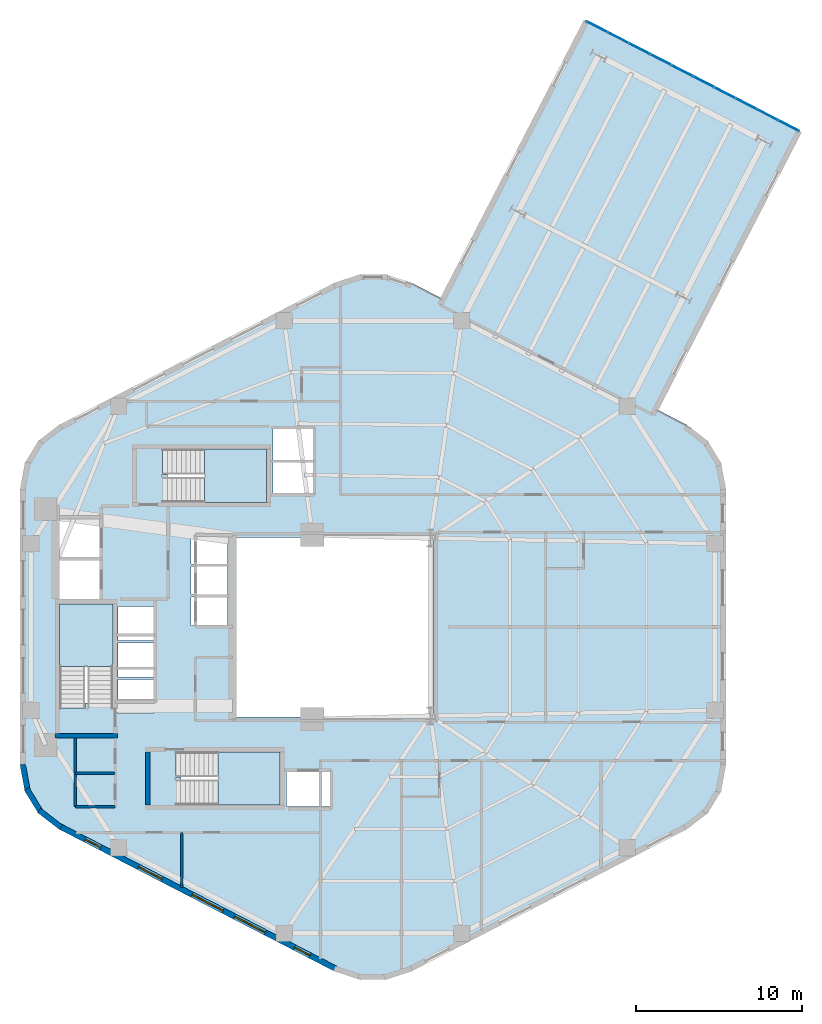
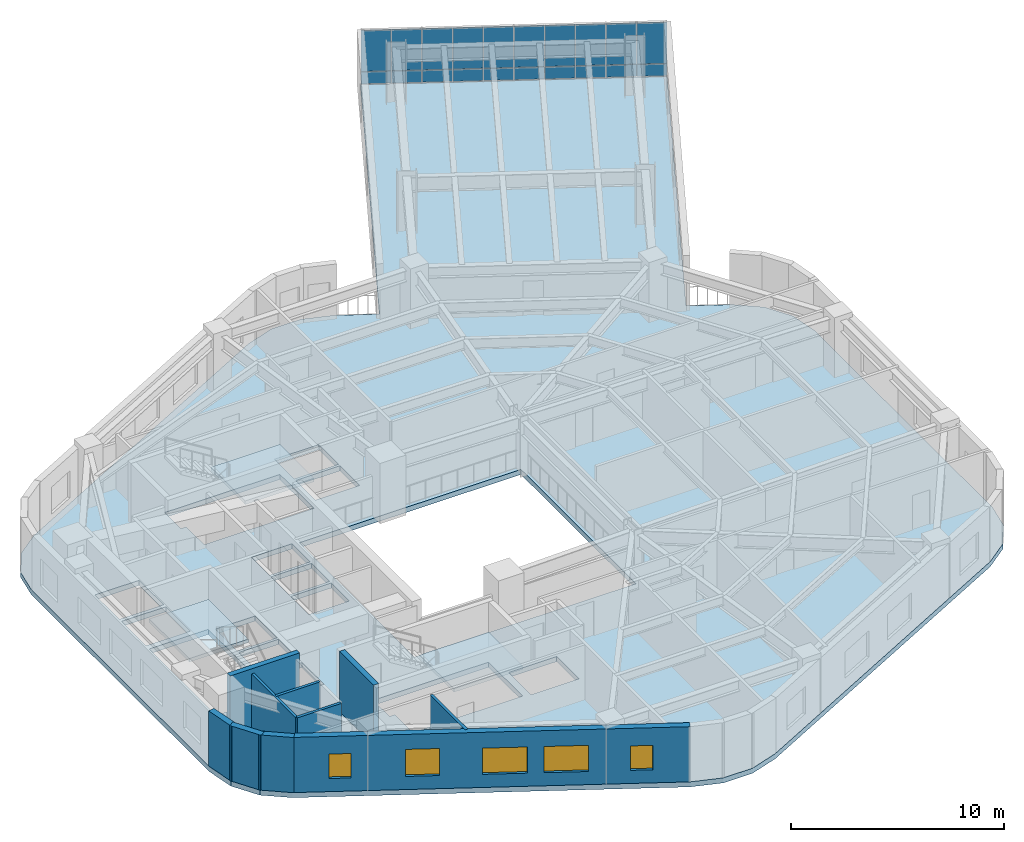
# One storey, part 4 of 10: 20 plates, 10 walls, 5 windows, 4 slabs, 5 openings, 4 elements without a shape of their own.
"""IFC4 building model written with IfcOpenShell, lengths in metres."""

from ifc_helpers import new_model, si_unit, direction, frame, frame_2d, origin, origin_2d, place, context, subcontext, project, spatial, polyline, rectangle, outline, extrude, material, layer, layer_set, type_object, element, fill, aggregate, save


model = new_model("IFC4")

# Units and contexts
model_context = context("Model", 3, precision=1e-05, world=origin(), true_north=direction((0.0, 1.0)))
body_context = subcontext(model_context, "Body", "Model", "MODEL_VIEW")
ifc_project = project(units=[si_unit("LENGTHUNIT", "METRE"), si_unit("AREAUNIT", "SQUARE_METRE"), si_unit("VOLUMEUNIT", "CUBIC_METRE"), si_unit("PLANEANGLEUNIT", "RADIAN"), si_unit("MASSUNIT", "GRAM", prefix="KILO"), si_unit("THERMODYNAMICTEMPERATUREUNIT", "KELVIN"), si_unit("POWERUNIT", "WATT")], contexts=[model_context])

# Site, building, storey
site_placement = place(None, origin())
site = spatial("IfcSite", under=ifc_project, at=site_placement, CompositionType="ELEMENT")
building_placement = place(site_placement, origin())
building = spatial("IfcBuilding", under=site, at=building_placement, Name="Skarre Station Tower", CompositionType="ELEMENT")
storey_placement = place(building_placement, frame((0.0, 0.0, 111.89990234375)))
storey = spatial("IfcBuildingStorey", under=building, at=storey_placement, Name="L29", CompositionType="ELEMENT", Elevation=111.89990234375)

# Curtain wall, plates
ifc_material_1 = material(Name="Thermally Broken Bronze-Anodized Aluminium & Triple Low-E Glass", Category="aluminium")
ifc_layer_1 = layer(ifc_material_1, 0.2099609375, Name="Thermally Broken Bronze-Anodized Aluminium & Triple Low-E Glass")
ifc_layer_set_1 = layer_set([ifc_layer_1], Name="Thermally Broken Bronze-Anodized Aluminium & Triple Low-E Glass")
curtain_wall_type = type_object("IfcCurtainWallType", Name="Sky-Bar Prow Structural Glazed Curtain Wall", PredefinedType="NOTDEFINED", material=ifc_layer_set_1)
curtain_wall_placement = place(storey_placement, origin())
curtain_wall = element("IfcCurtainWall", 1, at=curtain_wall_placement, inside=storey, type_object=curtain_wall_type, Name="L29 SB-2 Lakefront Prow Curtain Wall", PredefinedType="NOTDEFINED")
ifc_material_2 = material(Name="Insulated Bronze Anodized Aluminium Spandrel", Category="aluminium")
ifc_layer_2 = layer(ifc_material_2, 0.052001953125, Name="Insulated Bronze Anodized Aluminium Spandrel")
ifc_layer_set_2 = layer_set([ifc_layer_2], Name="Insulated Bronze Anodized Aluminium Spandrel")
plate_type_1 = type_object("IfcPlateType", Name="Bronze Insulated Spandrel Sheet Panel 52", PredefinedType="SHEET", material=ifc_layer_set_2)
plate_1_placement = place(storey_placement, frame((49.47412109375, 60.10302734375, 0.052001953125), z_axis=(0.0, 0.0, 1.0), x_axis=(0.888601222224, -0.458680572798, 0.0)))
plate_1 = element("IfcPlate", 2, at=plate_1_placement, type_object=plate_type_1, Name="L29 SB-2 Lakefront Prow Curtain Wall Spandrel Panel 1-1", PredefinedType="SHEET", context=body_context, shape_type="SweptSolid", body=[
    extrude(rectangle(XDim=1.416015625, YDim=0.052001953125, at=origin_2d()), origin(), (0.0, 0.0, 1.0), 0.68603515625),
])
plate_2_placement = place(storey_placement, frame((50.7529296875, 59.44189453125, 0.052001953125), z_axis=(0.0, 0.0, 1.0), x_axis=(0.888601222224, -0.458680572798, 0.0)))
plate_2 = element("IfcPlate", 3, at=plate_2_placement, type_object=plate_type_1, Name="L29 SB-2 Lakefront Prow Curtain Wall Spandrel Panel 2-1", PredefinedType="SHEET", context=body_context, shape_type="SweptSolid", body=[
    extrude(rectangle(XDim=1.416015625, YDim=0.052001953125, at=origin_2d()), origin(), (0.0, 0.0, 1.0), 0.68603515625),
])
plate_3_placement = place(storey_placement, frame((52.032958984375, 58.781982421875, 0.052001953125), z_axis=(0.0, 0.0, 1.0), x_axis=(0.888601222224, -0.458680572798, 0.0)))
plate_3 = element("IfcPlate", 4, at=plate_3_placement, type_object=plate_type_1, Name="L29 SB-2 Lakefront Prow Curtain Wall Spandrel Panel 3-1", PredefinedType="SHEET", context=body_context, shape_type="SweptSolid", body=[
    extrude(rectangle(XDim=1.416015625, YDim=0.052001953125, at=origin_2d()), origin(), (0.0, 0.0, 1.0), 0.68603515625),
])
plate_4_placement = place(storey_placement, frame((53.31298828125, 58.12109375, 0.052001953125), z_axis=(0.0, 0.0, 1.0), x_axis=(0.888601222224, -0.458680572798, 0.0)))
plate_4 = element("IfcPlate", 5, at=plate_4_placement, type_object=plate_type_1, Name="L29 SB-2 Lakefront Prow Curtain Wall Spandrel Panel 4-1", PredefinedType="SHEET", context=body_context, shape_type="SweptSolid", body=[
    extrude(rectangle(XDim=1.416015625, YDim=0.052001953125, at=origin_2d()), origin(), (0.0, 0.0, 1.0), 0.68603515625),
])
plate_5_placement = place(storey_placement, frame((54.592041015625, 57.4609375, 0.052001953125), z_axis=(0.0, 0.0, 1.0), x_axis=(0.888601222224, -0.458680572798, 0.0)))
plate_5 = element("IfcPlate", 6, at=plate_5_placement, type_object=plate_type_1, Name="L29 SB-2 Lakefront Prow Curtain Wall Spandrel Panel 5-1", PredefinedType="SHEET", context=body_context, shape_type="SweptSolid", body=[
    extrude(rectangle(XDim=1.416015625, YDim=0.052001953125, at=origin_2d()), origin(), (0.0, 0.0, 1.0), 0.68603515625),
])
plate_6_placement = place(storey_placement, frame((55.8720703125, 56.800048828125, 0.052001953125), z_axis=(0.0, 0.0, 1.0), x_axis=(0.888601222224, -0.458680572798, 0.0)))
plate_6 = element("IfcPlate", 7, at=plate_6_placement, type_object=plate_type_1, Name="L29 SB-2 Lakefront Prow Curtain Wall Spandrel Panel 6-1", PredefinedType="SHEET", context=body_context, shape_type="SweptSolid", body=[
    extrude(rectangle(XDim=1.416015625, YDim=0.052001953125, at=origin_2d()), origin(), (0.0, 0.0, 1.0), 0.68603515625),
])
plate_7_placement = place(storey_placement, frame((57.15087890625, 56.139892578125, 0.052001953125), z_axis=(0.0, 0.0, 1.0), x_axis=(0.888601222224, -0.458680572798, 0.0)))
plate_7 = element("IfcPlate", 8, at=plate_7_placement, type_object=plate_type_1, Name="L29 SB-2 Lakefront Prow Curtain Wall Spandrel Panel 7-1", PredefinedType="SHEET", context=body_context, shape_type="SweptSolid", body=[
    extrude(rectangle(XDim=1.416015625, YDim=0.052001953125, at=origin_2d()), origin(), (0.0, 0.0, 1.0), 0.68603515625),
])
plate_8_placement = place(storey_placement, frame((58.430908203125, 55.47900390625, 0.052001953125), z_axis=(0.0, 0.0, 1.0), x_axis=(0.888601222224, -0.458680572798, 0.0)))
plate_8 = element("IfcPlate", 9, at=plate_8_placement, type_object=plate_type_1, Name="L29 SB-2 Lakefront Prow Curtain Wall Spandrel Panel 8-1", PredefinedType="SHEET", context=body_context, shape_type="SweptSolid", body=[
    extrude(rectangle(XDim=1.416015625, YDim=0.052001953125, at=origin_2d()), origin(), (0.0, 0.0, 1.0), 0.68603515625),
])
plate_9_placement = place(storey_placement, frame((59.7109375, 54.819091796875, 0.052001953125), z_axis=(0.0, 0.0, 1.0), x_axis=(0.888601222224, -0.458680572798, 0.0)))
plate_9 = element("IfcPlate", 10, at=plate_9_placement, type_object=plate_type_1, Name="L29 SB-2 Lakefront Prow Curtain Wall Spandrel Panel 9-1", PredefinedType="SHEET", context=body_context, shape_type="SweptSolid", body=[
    extrude(rectangle(XDim=1.416015625, YDim=0.052001953125, at=origin_2d()), origin(), (0.0, 0.0, 1.0), 0.68603515625),
])
plate_10_placement = place(storey_placement, frame((60.989990234375, 54.157958984375, 0.052001953125), z_axis=(0.0, 0.0, 1.0), x_axis=(0.888601222224, -0.458680572798, 0.0)))
plate_10 = element("IfcPlate", 11, at=plate_10_placement, type_object=plate_type_1, Name="L29 SB-2 Lakefront Prow Curtain Wall Spandrel Panel 10-1", PredefinedType="SHEET", context=body_context, shape_type="SweptSolid", body=[
    extrude(rectangle(XDim=1.416015625, YDim=0.052001953125, at=origin_2d()), origin(), (0.0, 0.0, 1.0), 0.68603515625),
])

# Stair, slab
ifc_material_3 = material(Name="Concrete C40/50", Category="concrete")
stair_type_1 = type_object("IfcStairType", Name="Reinforced Concrete Exit Stair ST-1", PredefinedType="HALF_TURN_STAIR", material=ifc_material_3)
stair_1_placement = place(storey_placement, origin())
stair_1 = element("IfcStair", 12, at=stair_1_placement, inside=storey, type_object=stair_type_1, Name="L29 Core Exit Stair ST-1", PredefinedType="HALF_TURN_STAIR")
ifc_layer_3 = layer(ifc_material_3, 0.219970703125, Name="Concrete C40/50")
ifc_layer_set_3 = layer_set([ifc_layer_3], Name="Concrete C40/50")
slab_type_1 = type_object("IfcSlabType", Name="Reinforced Concrete Stair & Ramp Landing 220", PredefinedType="LANDING", material=ifc_layer_set_3)
slab_1_placement = place(storey_placement, frame((0.0, 0.0, 1.525146484375)))
slab_1 = element("IfcSlab", 13, at=slab_1_placement, type_object=slab_type_1, Name="ST-1 landing 1", PredefinedType="LANDING", context=body_context, shape_type="SweptSolid", body=[
    extrude(outline(polyline([(20.35009765625, 21.639892578125), (20.35009765625, 25.39990234375), (17.14990234375, 25.39990234375), (17.14990234375, 21.639892578125), (20.35009765625, 21.639892578125)])), origin(), (0.0, 0.0, 1.0), 0.199951171875),
])
aggregate(stair_1, [slab_1])

stair_type_2 = type_object("IfcStairType", Name="Reinforced Concrete Exit Stair ST-2", PredefinedType="HALF_TURN_STAIR", material=ifc_material_3)
stair_2_placement = place(storey_placement, origin())
stair_2 = element("IfcStair", 14, at=stair_2_placement, inside=storey, type_object=stair_type_2, Name="L29 Core Exit Stair ST-2", PredefinedType="HALF_TURN_STAIR")
slab_2_placement = place(storey_placement, frame((0.0, 0.0, 1.525146484375)))
slab_2 = element("IfcSlab", 15, at=slab_2_placement, type_object=slab_type_1, Name="ST-2 landing 1", PredefinedType="LANDING", context=body_context, shape_type="SweptSolid", body=[
    extrude(outline(polyline([(26.669921875, 13.300048828125), (30.39990234375, 13.300048828125), (30.39990234375, 16.5), (26.669921875, 16.5), (26.669921875, 13.300048828125)])), origin(), (0.0, 0.0, 1.0), 0.199951171875),
])
aggregate(stair_2, [slab_2])

stair_type_3 = type_object("IfcStairType", Name="Reinforced Concrete Exit Stair ST-3", PredefinedType="HALF_TURN_STAIR", material=ifc_material_3)
stair_3_placement = place(storey_placement, origin())
stair_3 = element("IfcStair", 16, at=stair_3_placement, inside=storey, type_object=stair_type_3, Name="L29 Core Exit Stair ST-3", PredefinedType="HALF_TURN_STAIR")
slab_3_placement = place(storey_placement, frame((0.0, 0.0, 1.525146484375)))
slab_3 = element("IfcSlab", 17, at=slab_3_placement, type_object=slab_type_1, Name="ST-3 landing 1", PredefinedType="LANDING", context=body_context, shape_type="SweptSolid", body=[
    extrude(outline(polyline([(25.8701171875, 31.5), (29.60009765625, 31.5), (29.60009765625, 34.699951171875), (25.8701171875, 34.699951171875), (25.8701171875, 31.5)])), origin(), (0.0, 0.0, 1.0), 0.199951171875),
])
aggregate(stair_3, [slab_3])

# Slab
ifc_material_4 = material(Name="Concrete C50/60", Category="concrete")
ifc_layer_4 = layer(ifc_material_4, 0.2900390625, Name="Concrete C50/60")
ifc_layer_set_4 = layer_set([ifc_layer_4], Name="Concrete C50/60")
slab_type_2 = type_object("IfcSlabType", Name="Sky-Bar Composite Floor Slab 290", PredefinedType="FLOOR", material=ifc_layer_set_4)
slab_4_placement = place(storey_placement, frame((0.0, 0.0, -0.289794921875)))
element("IfcSlab", 18, at=slab_4_placement, inside=storey, type_object=slab_type_2, Name="L29 Tower and SB-2 Floor Slab", PredefinedType="FLOOR", context=body_context, shape_type="SweptSolid", body=[
    extrude(outline(polyline([(53.007080078125, 37.123046875), (61.6298828125, 53.827880859375), (48.833984375, 60.43310546875), (40.2109375, 43.72705078125), (38.30908203125, 44.708984375), (36.7958984375, 45.2060546875), (35.2041015625, 45.2060546875), (33.69091796875, 44.708984375), (17.091064453125, 36.14111328125), (15.867919921875, 35.194091796875), (15.06298828125, 33.873046875), (14.781982421875, 32.35205078125), (14.781982421875, 15.64794921875), (15.06298828125, 14.126953125), (15.867919921875, 12.805908203125), (17.091064453125, 11.85888671875), (33.69091796875, 3.291015625), (35.2041015625, 2.7939453125), (36.7958984375, 2.7939453125), (38.30908203125, 3.291015625), (54.908935546875, 11.85888671875), (56.132080078125, 12.805908203125), (56.93701171875, 14.126953125), (57.218017578125, 15.64794921875), (57.218017578125, 32.35205078125), (56.93701171875, 33.873046875), (56.132080078125, 35.194091796875), (54.908935546875, 36.14111328125), (53.007080078125, 37.123046875)]), holes=[polyline([(18.669921875, 19.419921875), (18.669921875, 19.123046875), (17.14990234375, 19.123046875), (17.14990234375, 25.39990234375), (20.35009765625, 25.39990234375), (20.35009765625, 19.419921875), (18.669921875, 19.419921875)]), polyline([(24.449951171875, 14.97998046875), (24.153076171875, 14.97998046875), (24.153076171875, 16.5), (30.39990234375, 16.5), (30.39990234375, 13.300048828125), (24.449951171875, 13.300048828125), (24.449951171875, 14.97998046875)]), polyline([(23.64990234375, 33.179931640625), (23.35302734375, 33.179931640625), (23.35302734375, 34.699951171875), (29.60009765625, 34.699951171875), (29.60009765625, 31.5), (23.64990234375, 31.5), (23.64990234375, 33.179931640625)]), polyline([(17.14990234375, 28.0), (19.550048828125, 28.0), (19.550048828125, 25.699951171875), (17.14990234375, 25.699951171875), (17.14990234375, 28.0)]), polyline([(17.14990234375, 30.5), (19.550048828125, 30.5), (19.550048828125, 28.199951171875), (17.14990234375, 28.199951171875), (17.14990234375, 30.5)]), polyline([(30.800048828125, 15.300048828125), (33.39990234375, 15.300048828125), (33.39990234375, 13.199951171875), (30.800048828125, 13.199951171875), (30.800048828125, 15.300048828125)]), polyline([(25.050048828125, 25.800048828125), (27.25, 25.800048828125), (27.25, 24.10009765625), (25.050048828125, 24.10009765625), (25.050048828125, 25.800048828125)]), polyline([(25.050048828125, 27.64990234375), (27.25, 27.64990234375), (27.25, 25.949951171875), (25.050048828125, 25.949951171875), (25.050048828125, 27.64990234375)]), polyline([(25.050048828125, 29.5), (27.25, 29.5), (27.25, 27.800048828125), (25.050048828125, 27.800048828125), (25.050048828125, 29.5)]), polyline([(20.64990234375, 20.85009765625), (22.800048828125, 20.85009765625), (22.800048828125, 18.800048828125), (20.64990234375, 18.800048828125), (20.64990234375, 20.85009765625)]), polyline([(20.64990234375, 23.050048828125), (22.800048828125, 23.050048828125), (22.800048828125, 21.0), (20.64990234375, 21.0), (20.64990234375, 23.050048828125)]), polyline([(20.64990234375, 25.25), (22.800048828125, 25.25), (22.800048828125, 23.199951171875), (20.64990234375, 23.199951171875), (20.64990234375, 25.25)]), polyline([(30.0, 33.89990234375), (32.39990234375, 33.89990234375), (32.39990234375, 32.050048828125), (30.0, 32.050048828125), (30.0, 33.89990234375)]), polyline([(30.0, 35.89990234375), (32.39990234375, 35.89990234375), (32.39990234375, 34.050048828125), (30.0, 34.050048828125), (30.0, 35.89990234375)]), polyline([(27.60009765625, 29.39990234375), (39.60009765625, 29.39990234375), (39.60009765625, 18.60009765625), (27.60009765625, 18.60009765625), (27.60009765625, 29.39990234375)])]), origin(), (0.0, 0.0, 1.0), 0.289794921875),
])

# Plate
ifc_material_5 = material(Name="Low-Iron Triple Insulating Glass Unit", Category="glass")
ifc_layer_5 = layer(ifc_material_5, 0.0439453125, Name="Low-Iron Triple Insulating Glass Unit")
ifc_layer_set_5 = layer_set([ifc_layer_5], Name="Low-Iron Triple Insulating Glass Unit")
plate_type_2 = type_object("IfcPlateType", Name="Triple-Glazed Vision Curtain Panel 44", PredefinedType="CURTAIN_PANEL", material=ifc_layer_set_5)
plate_11_placement = place(storey_placement, frame((49.47412109375, 60.10302734375, 0.76220703125), z_axis=(0.0, 0.0, 1.0), x_axis=(0.888601222224, -0.458680572798, 0.0)))
plate_11 = element("IfcPlate", 19, at=plate_11_placement, type_object=plate_type_2, Name="L29 SB-2 Lakefront Prow Curtain Wall Vision Panel 1-2", PredefinedType="CURTAIN_PANEL", context=body_context, shape_type="SweptSolid", body=[
    extrude(rectangle(XDim=1.416015625, YDim=0.0439453125, at=origin_2d()), origin(), (0.0, 0.0, 1.0), 2.345947265625),
])

plate_12_placement = place(storey_placement, frame((50.7529296875, 59.44189453125, 0.76220703125), z_axis=(0.0, 0.0, 1.0), x_axis=(0.888601222224, -0.458680572798, 0.0)))
plate_12 = element("IfcPlate", 20, at=plate_12_placement, type_object=plate_type_2, Name="L29 SB-2 Lakefront Prow Curtain Wall Vision Panel 2-2", PredefinedType="CURTAIN_PANEL", context=body_context, shape_type="SweptSolid", body=[
    extrude(rectangle(XDim=1.416015625, YDim=0.0439453125, at=origin_2d()), origin(), (0.0, 0.0, 1.0), 2.345947265625),
])

plate_13_placement = place(storey_placement, frame((52.032958984375, 58.781982421875, 0.76220703125), z_axis=(0.0, 0.0, 1.0), x_axis=(0.888601222224, -0.458680572798, 0.0)))
plate_13 = element("IfcPlate", 21, at=plate_13_placement, type_object=plate_type_2, Name="L29 SB-2 Lakefront Prow Curtain Wall Vision Panel 3-2", PredefinedType="CURTAIN_PANEL", context=body_context, shape_type="SweptSolid", body=[
    extrude(rectangle(XDim=1.416015625, YDim=0.0439453125, at=origin_2d()), origin(), (0.0, 0.0, 1.0), 2.345947265625),
])

plate_14_placement = place(storey_placement, frame((53.31298828125, 58.12109375, 0.76220703125), z_axis=(0.0, 0.0, 1.0), x_axis=(0.888601222224, -0.458680572798, 0.0)))
plate_14 = element("IfcPlate", 22, at=plate_14_placement, type_object=plate_type_2, Name="L29 SB-2 Lakefront Prow Curtain Wall Vision Panel 4-2", PredefinedType="CURTAIN_PANEL", context=body_context, shape_type="SweptSolid", body=[
    extrude(rectangle(XDim=1.416015625, YDim=0.0439453125, at=origin_2d()), origin(), (0.0, 0.0, 1.0), 2.345947265625),
])

plate_15_placement = place(storey_placement, frame((54.592041015625, 57.4609375, 0.76220703125), z_axis=(0.0, 0.0, 1.0), x_axis=(0.888601222224, -0.458680572798, 0.0)))
plate_15 = element("IfcPlate", 23, at=plate_15_placement, type_object=plate_type_2, Name="L29 SB-2 Lakefront Prow Curtain Wall Vision Panel 5-2", PredefinedType="CURTAIN_PANEL", context=body_context, shape_type="SweptSolid", body=[
    extrude(rectangle(XDim=1.416015625, YDim=0.0439453125, at=origin_2d()), origin(), (0.0, 0.0, 1.0), 2.345947265625),
])

plate_16_placement = place(storey_placement, frame((55.8720703125, 56.800048828125, 0.76220703125), z_axis=(0.0, 0.0, 1.0), x_axis=(0.888601222224, -0.458680572798, 0.0)))
plate_16 = element("IfcPlate", 24, at=plate_16_placement, type_object=plate_type_2, Name="L29 SB-2 Lakefront Prow Curtain Wall Vision Panel 6-2", PredefinedType="CURTAIN_PANEL", context=body_context, shape_type="SweptSolid", body=[
    extrude(rectangle(XDim=1.416015625, YDim=0.0439453125, at=origin_2d()), origin(), (0.0, 0.0, 1.0), 2.345947265625),
])

plate_17_placement = place(storey_placement, frame((57.15087890625, 56.139892578125, 0.76220703125), z_axis=(0.0, 0.0, 1.0), x_axis=(0.888601222224, -0.458680572798, 0.0)))
plate_17 = element("IfcPlate", 25, at=plate_17_placement, type_object=plate_type_2, Name="L29 SB-2 Lakefront Prow Curtain Wall Vision Panel 7-2", PredefinedType="CURTAIN_PANEL", context=body_context, shape_type="SweptSolid", body=[
    extrude(rectangle(XDim=1.416015625, YDim=0.0439453125, at=origin_2d()), origin(), (0.0, 0.0, 1.0), 2.345947265625),
])

plate_18_placement = place(storey_placement, frame((58.430908203125, 55.47900390625, 0.76220703125), z_axis=(0.0, 0.0, 1.0), x_axis=(0.888601222224, -0.458680572798, 0.0)))
plate_18 = element("IfcPlate", 26, at=plate_18_placement, type_object=plate_type_2, Name="L29 SB-2 Lakefront Prow Curtain Wall Vision Panel 8-2", PredefinedType="CURTAIN_PANEL", context=body_context, shape_type="SweptSolid", body=[
    extrude(rectangle(XDim=1.416015625, YDim=0.0439453125, at=origin_2d()), origin(), (0.0, 0.0, 1.0), 2.345947265625),
])

plate_19_placement = place(storey_placement, frame((59.7109375, 54.819091796875, 0.76220703125), z_axis=(0.0, 0.0, 1.0), x_axis=(0.888601222224, -0.458680572798, 0.0)))
plate_19 = element("IfcPlate", 27, at=plate_19_placement, type_object=plate_type_2, Name="L29 SB-2 Lakefront Prow Curtain Wall Vision Panel 9-2", PredefinedType="CURTAIN_PANEL", context=body_context, shape_type="SweptSolid", body=[
    extrude(rectangle(XDim=1.416015625, YDim=0.0439453125, at=origin_2d()), origin(), (0.0, 0.0, 1.0), 2.345947265625),
])

plate_20_placement = place(storey_placement, frame((60.989990234375, 54.157958984375, 0.76220703125), z_axis=(0.0, 0.0, 1.0), x_axis=(0.888601222224, -0.458680572798, 0.0)))
plate_20 = element("IfcPlate", 28, at=plate_20_placement, type_object=plate_type_2, Name="L29 SB-2 Lakefront Prow Curtain Wall Vision Panel 10-2", PredefinedType="CURTAIN_PANEL", context=body_context, shape_type="SweptSolid", body=[
    extrude(rectangle(XDim=1.416015625, YDim=0.0439453125, at=origin_2d()), origin(), (0.0, 0.0, 1.0), 2.345947265625),
])

aggregate(curtain_wall, [plate_1, plate_11, plate_2, plate_12, plate_3, plate_13, plate_4, plate_14, plate_5, plate_15, plate_6, plate_16, plate_7, plate_17, plate_8, plate_18, plate_9, plate_19, plate_10, plate_20])

# Walls
ifc_material_6 = material(Name="Acoustic Steel-Stud Gypsum Partition", Category="steel")
ifc_layer_6 = layer(ifc_material_6, 0.14990234375, Name="Acoustic Steel-Stud Gypsum Partition")
ifc_layer_set_6 = layer_set([ifc_layer_6], Name="Acoustic Steel-Stud Gypsum Partition")
wall_type_1 = type_object("IfcWallType", Name="Fire-Rated Corridor Acoustic Partition 150", PredefinedType="PARTITIONING", material=ifc_layer_set_6)
wall_1_placement = place(storey_placement, frame((18.10009765625, 17.340087890625, 0.0), z_axis=(0.0, 0.0, 1.0), x_axis=(0.0, -1.0, 0.0)))
element("IfcWall", 29, at=wall_1_placement, inside=storey, type_object=wall_type_1, Name="L29 Interior Partition WL-PT-L29-CSVC-W", PredefinedType="PARTITIONING", context=body_context, shape_type="SweptSolid", body=[
    extrude(rectangle(XDim=4.14013671875, YDim=0.14990234375, at=frame_2d((2.070068359375, 0.0))), origin(), (0.0, 0.0, 1.0), 3.16015625),
])
for number, where, z_axis, x_axis, name in (
    (30, (18.10009765625, 13.199951171875, 0.0), (0.0, 0.0, 1.0), (1.0, 0.0, 0.0), "L29 Interior Partition WL-PT-L29-CSVC-S"),
    (31, (18.10009765625, 15.219970703125, 0.0), (0.0, 0.0, 1.0), (1.0, 0.0, 0.0), "L29 Interior Partition WL-PT-L29-CSVC-M"),
):
    element("IfcWall", number, at=place(storey_placement, frame(where, z_axis=z_axis, x_axis=x_axis)), inside=storey, type_object=wall_type_1, Name=name, PredefinedType="PARTITIONING", context=body_context, shape_type="SweptSolid", body=[
        extrude(rectangle(XDim=2.389892578125, YDim=0.14990234375, at=frame_2d((1.19482421875, 0.0))), origin(), (0.0, 0.0, 1.0), 3.16015625),
    ])
wall_2_placement = place(storey_placement, frame((24.5, 8.35009765625, 0.0), z_axis=(0.0, 0.0, 1.0), x_axis=(0.0, 1.0, 0.0)))
element("IfcWall", 32, at=wall_2_placement, inside=storey, type_object=wall_type_1, Name="L29 Interior Partition WL-PT-L29-SWP-M", PredefinedType="PARTITIONING", context=body_context, shape_type="SweptSolid", body=[
    extrude(rectangle(XDim=3.289794921875, YDim=0.14990234375, at=frame_2d((1.64501953125, 0.0))), origin(), (0.0, 0.0, 1.0), 3.16015625),
])

# Wall, openings, windows
ifc_material_7 = material(Name="Precast concrete C45/55", Category="concrete")
ifc_layer_7 = layer(ifc_material_7, 0.340087890625, Name="Precast concrete C45/55")
ifc_layer_set_7 = layer_set([ifc_layer_7], Name="Precast concrete C45/55")
wall_type_2 = type_object("IfcWallType", Name="Nordic Honed Precast Facet Wall 340", PredefinedType="STANDARD", material=ifc_layer_set_7)
wall_3_placement = place(storey_placement, frame((33.76904296875, 3.44189453125, 0.0), z_axis=(0.0, 0.0, 1.0), x_axis=(-0.888613612362, 0.458656568606, 0.0)))
wall_3 = element("IfcWall", 33, at=wall_3_placement, inside=storey, type_object=wall_type_2, Name="L29 Facet 3 Nordic Precast Masonry Wall", PredefinedType="STANDARD", context=body_context, shape_type="SweptSolid", body=[
    extrude(rectangle(XDim=18.680908203125, YDim=0.340087890625, at=frame_2d((9.34033203125, 0.0))), origin(), (0.0, 0.0, 1.0), 3.16015625),
])
opening_1_placement = place(wall_3_placement, frame((1.75, 0.0, 0.75)))
opening_1 = element("IfcOpeningElement", 34, at=opening_1_placement, cuts=wall_3, Name="Opening WN-SLT", PredefinedType="OPENING", context=body_context, shape_type="SweptSolid", body=[
    extrude(rectangle(XDim=1.050048828125, YDim=1.39990234375, at=frame_2d((0.52490234375, 0.699951171875))), frame((0.0, 0.179931640625, 0.0), z_axis=(0.0, -1.0, 0.0), x_axis=(1.0, 0.0, 0.0)), (0.0, 0.0, 1.0), 0.360107421875),
])
opening_2_placement = place(wall_3_placement, frame((4.764892578125, 0.0, 0.75)))
opening_2 = element("IfcOpeningElement", 35, at=opening_2_placement, cuts=wall_3, Name="Opening WN-Z2B", PredefinedType="OPENING", context=body_context, shape_type="SweptSolid", body=[
    extrude(rectangle(XDim=2.10009765625, YDim=1.5, at=frame_2d((1.050048828125, 0.75))), frame((0.0, 0.179931640625, 0.0), z_axis=(0.0, -1.0, 0.0), x_axis=(1.0, 0.0, 0.0)), (0.0, 0.0, 1.0), 0.360107421875),
])
opening_3_placement = place(wall_3_placement, frame((7.64404296875, 0.0, 0.75)))
opening_3 = element("IfcOpeningElement", 36, at=opening_3_placement, cuts=wall_3, Name="Opening WN-Z2B", PredefinedType="OPENING", context=body_context, shape_type="SweptSolid", body=[
    extrude(rectangle(XDim=2.10009765625, YDim=1.5, at=frame_2d((1.050048828125, 0.75))), frame((0.0, 0.179931640625, 0.0), z_axis=(0.0, -1.0, 0.0), x_axis=(1.0, 0.0, 0.0)), (0.0, 0.0, 1.0), 0.360107421875),
])
opening_4_placement = place(wall_3_placement, frame((11.77392578125, 0.0, 0.75)))
opening_4 = element("IfcOpeningElement", 37, at=opening_4_placement, cuts=wall_3, Name="Opening WN-Z2A", PredefinedType="OPENING", context=body_context, shape_type="SweptSolid", body=[
    extrude(rectangle(XDim=1.60009765625, YDim=1.550048828125, at=frame_2d((0.800048828125, 0.77490234375))), frame((0.0, 0.179931640625, 0.0), z_axis=(0.0, -1.0, 0.0), x_axis=(1.0, 0.0, 0.0)), (0.0, 0.0, 1.0), 0.360107421875),
])
opening_5_placement = place(wall_3_placement, frame((15.919921875, 0.0, 0.75)))
opening_5 = element("IfcOpeningElement", 38, at=opening_5_placement, cuts=wall_3, Name="Opening WN-SLT", PredefinedType="OPENING", context=body_context, shape_type="SweptSolid", body=[
    extrude(rectangle(XDim=1.050048828125, YDim=1.39990234375, at=frame_2d((0.52490234375, 0.699951171875))), frame((0.0, 0.179931640625, 0.0), z_axis=(0.0, -1.0, 0.0), x_axis=(1.0, 0.0, 0.0)), (0.0, 0.0, 1.0), 0.360107421875),
])
ifc_material_8 = material(Name="Low-Iron Triple Glazing with Bronze Anodized Frame", Category="glass")
window_type_1 = type_object("IfcWindowType", Name="Nordic Corner Slot Window 1050x1400", PartitioningType="SINGLE_PANEL", PredefinedType="WINDOW", material=ifc_material_8)
window_1_placement = place(opening_1_placement, origin())
window_1 = element("IfcWindow", 39, at=window_1_placement, inside=storey, type_object=window_type_1, Name="L29 Facade Window WL-FAC-L29-F3-1", OverallHeight=1.39990234375, OverallWidth=1.050048828125, PartitioningType="SINGLE_PANEL", PredefinedType="WINDOW", context=body_context, shape_type="SweptSolid", body=[
    extrude(rectangle(XDim=1.050048828125, YDim=1.39990234375, at=frame_2d((0.52490234375, 0.699951171875))), frame((0.0, 0.030029296875, 0.0), z_axis=(0.0, -1.0, 0.0), x_axis=(1.0, 0.0, 0.0)), (0.0, 0.0, 1.0), 0.06005859375),
])
fill(opening_1, window_1)
window_2_placement = place(opening_5_placement, origin())
window_2 = element("IfcWindow", 40, at=window_2_placement, inside=storey, type_object=window_type_1, Name="L29 Facade Window WL-FAC-L29-F3-5", OverallHeight=1.39990234375, OverallWidth=1.050048828125, PartitioningType="SINGLE_PANEL", PredefinedType="WINDOW", context=body_context, shape_type="SweptSolid", body=[
    extrude(rectangle(XDim=1.050048828125, YDim=1.39990234375, at=frame_2d((0.52490234375, 0.699951171875))), frame((0.0, 0.030029296875, 0.0), z_axis=(0.0, -1.0, 0.0), x_axis=(1.0, 0.0, 0.0)), (0.0, 0.0, 1.0), 0.06005859375),
])
fill(opening_5, window_2)
window_type_2 = type_object("IfcWindowType", Name="Nordic Residential Tall Window 1600x1550", PartitioningType="SINGLE_PANEL", PredefinedType="WINDOW", material=ifc_material_8)
window_3_placement = place(opening_4_placement, origin())
window_3 = element("IfcWindow", 41, at=window_3_placement, inside=storey, type_object=window_type_2, Name="L29 Facade Window WL-FAC-L29-F3-4", OverallHeight=1.550048828125, OverallWidth=1.60009765625, PartitioningType="SINGLE_PANEL", PredefinedType="WINDOW", context=body_context, shape_type="SweptSolid", body=[
    extrude(rectangle(XDim=1.60009765625, YDim=1.550048828125, at=frame_2d((0.800048828125, 0.77490234375))), frame((0.0, 0.030029296875, 0.0), z_axis=(0.0, -1.0, 0.0), x_axis=(1.0, 0.0, 0.0)), (0.0, 0.0, 1.0), 0.06005859375),
])
fill(opening_4, window_3)
window_type_3 = type_object("IfcWindowType", Name="Nordic Residential Twin Window 2100x1500", PartitioningType="SINGLE_PANEL", PredefinedType="WINDOW", material=ifc_material_8)
window_4_placement = place(opening_2_placement, origin())
window_4 = element("IfcWindow", 42, at=window_4_placement, inside=storey, type_object=window_type_3, Name="L29 Facade Window WL-FAC-L29-F3-2", OverallHeight=1.5, OverallWidth=2.10009765625, PartitioningType="SINGLE_PANEL", PredefinedType="WINDOW", context=body_context, shape_type="SweptSolid", body=[
    extrude(rectangle(XDim=2.10009765625, YDim=1.5, at=frame_2d((1.050048828125, 0.75))), frame((0.0, 0.030029296875, 0.0), z_axis=(0.0, -1.0, 0.0), x_axis=(1.0, 0.0, 0.0)), (0.0, 0.0, 1.0), 0.06005859375),
])
fill(opening_2, window_4)
window_5_placement = place(opening_3_placement, origin())
window_5 = element("IfcWindow", 43, at=window_5_placement, inside=storey, type_object=window_type_3, Name="L29 Facade Window WL-FAC-L29-F3-3", OverallHeight=1.5, OverallWidth=2.10009765625, PartitioningType="SINGLE_PANEL", PredefinedType="WINDOW", context=body_context, shape_type="SweptSolid", body=[
    extrude(rectangle(XDim=2.10009765625, YDim=1.5, at=frame_2d((1.050048828125, 0.75))), frame((0.0, 0.030029296875, 0.0), z_axis=(0.0, -1.0, 0.0), x_axis=(1.0, 0.0, 0.0)), (0.0, 0.0, 1.0), 0.06005859375),
])
fill(opening_3, window_5)

# Walls
ifc_layer_8 = layer(ifc_material_7, 0.330078125, Name="Precast concrete C45/55")
ifc_layer_set_8 = layer_set([ifc_layer_8], Name="Precast concrete C45/55")
wall_type_3 = type_object("IfcWallType", Name="Nordic Rounded Corner Precast Wall 330", PredefinedType="STANDARD", material=ifc_layer_set_8)
wall_4_placement = place(storey_placement, frame((17.242919921875, 11.949951171875, 0.0), z_axis=(0.0, 0.0, 1.0), x_axis=(-0.790621329885, 0.612305408053, 0.0)))
element("IfcWall", 44, at=wall_4_placement, inside=storey, type_object=wall_type_3, Name="L29 Rounded Corner Precast Wall F3-1", PredefinedType="STANDARD", context=body_context, shape_type="SweptSolid", body=[
    extrude(rectangle(XDim=1.67578125, YDim=0.330078125, at=frame_2d((0.837890625, 0.0))), origin(), (0.0, 0.0, 1.0), 3.16015625),
])
wall_5_placement = place(storey_placement, frame((16.04296875, 12.8359375, 0.0), z_axis=(0.0, 0.0, 1.0), x_axis=(-0.520519429557, 0.853849824883, 0.0)))
element("IfcWall", 45, at=wall_5_placement, inside=storey, type_object=wall_type_3, Name="L29 Rounded Corner Precast Wall F3-2", PredefinedType="STANDARD", context=body_context, shape_type="SweptSolid", body=[
    extrude(rectangle(XDim=1.67724609375, YDim=0.330078125, at=frame_2d((0.838623046875, 0.0))), origin(), (0.0, 0.0, 1.0), 3.16015625),
])
wall_6_placement = place(storey_placement, frame((15.237060546875, 14.093017578125, 0.0), z_axis=(0.0, 0.0, 1.0), x_axis=(-0.181984991895, 0.983301308209, 0.0)))
element("IfcWall", 46, at=wall_6_placement, inside=storey, type_object=wall_type_3, Name="L29 Rounded Corner Precast Wall F3-3", PredefinedType="STANDARD", context=body_context, shape_type="SweptSolid", body=[
    extrude(rectangle(XDim=1.677001953125, YDim=0.330078125, at=frame_2d((0.83837890625, 0.0))), origin(), (0.0, 0.0, 1.0), 3.16015625),
])
ifc_layer_9 = layer(ifc_material_4, 0.280029296875, Name="Concrete C50/60")
ifc_layer_set_9 = layer_set([ifc_layer_9], Name="Concrete C50/60")
wall_type_4 = type_object("IfcWallType", Name="RC Core Shear Wall 280", PredefinedType="SHEAR", material=ifc_layer_set_9)
wall_7_placement = place(storey_placement, frame((16.8701171875, 17.4599609375, 0.0), z_axis=(0.0, 0.0, 1.0), x_axis=(1.0, 0.0, 0.0)))
element("IfcWall", 47, at=wall_7_placement, inside=storey, type_object=wall_type_4, Name="L29 Stair ST-1 South Shear Wall", PredefinedType="SHEAR", context=body_context, shape_type="SweptSolid", body=[
    extrude(rectangle(XDim=3.759765625, YDim=0.280029296875, at=frame_2d((1.8798828125, 0.0))), origin(), (0.0, 0.0, 1.0), 3.4501953125),
])
wall_8_placement = place(storey_placement, frame((22.4599609375, 16.5, 0.0), z_axis=(0.0, 0.0, 1.0), x_axis=(0.0, -1.0, 0.0)))
element("IfcWall", 48, at=wall_8_placement, inside=storey, type_object=wall_type_4, Name="L29 Stair ST-2 West Shear Wall", PredefinedType="SHEAR", context=body_context, shape_type="SweptSolid", body=[
    extrude(rectangle(XDim=3.199951171875, YDim=0.280029296875, at=frame_2d((1.60009765625, 0.0))), origin(), (0.0, 0.0, 1.0), 3.4501953125),
])

save(model, "model.ifc")
